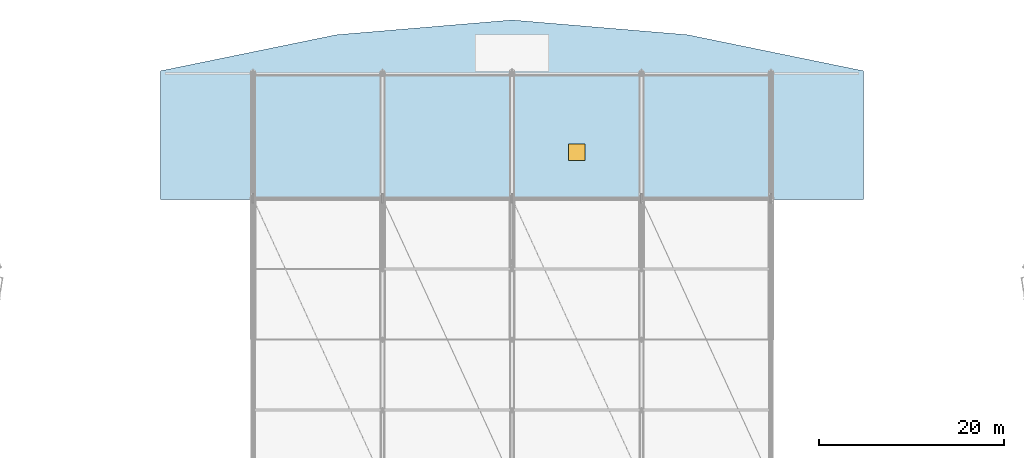
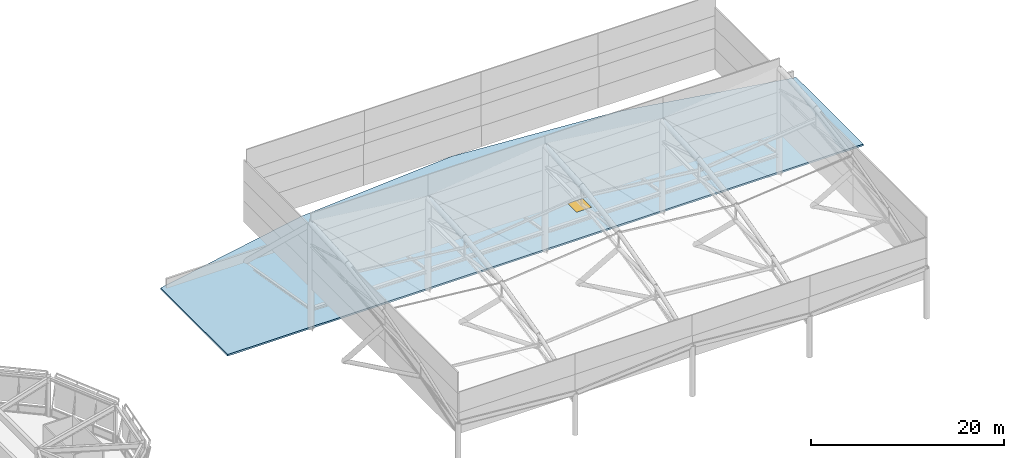
# One storey, part 76 of 113: 1 slab, 1 window, 1 opening.
"""IFC4 building model written with IfcOpenShell, lengths in metres."""

from ifc_helpers import new_model, si_unit, direction, frame, origin, origin_2d, place, context, subcontext, project, spatial, polyline, rectangle, outline, extrude, material, layer, layer_set, type_object, element, fill, save


model = new_model("IFC4")

# Units and contexts
model_context = context("Model", 3, precision=1e-05, world=origin(), true_north=direction((0.0, 1.0)))
body_context = subcontext(model_context, "Body", "Model", "MODEL_VIEW")
ifc_project = project(units=[si_unit("LENGTHUNIT", "METRE"), si_unit("AREAUNIT", "SQUARE_METRE"), si_unit("VOLUMEUNIT", "CUBIC_METRE"), si_unit("PLANEANGLEUNIT", "RADIAN"), si_unit("MASSUNIT", "GRAM", prefix="KILO")], contexts=[model_context])

# Site, building, storey
site_placement = place(None, origin())
site = spatial("IfcSite", under=ifc_project, at=site_placement, CompositionType="ELEMENT")
building_placement = place(site_placement, origin())
building = spatial("IfcBuilding", under=site, at=building_placement, Name="Linyun Crest Stadium", CompositionType="ELEMENT")
storey_placement = place(building_placement, frame((0.0, 0.0, 26.39990234375)))
storey = spatial("IfcBuildingStorey", under=building, at=storey_placement, Name="L06", CompositionType="ELEMENT", Elevation=26.39990234375)

# Slab, opening, window
ifc_material_1 = material(Name="Concrete C40", Category="concrete")
ifc_layer_1 = layer(ifc_material_1, 0.215087890625)
ifc_layer_set_1 = layer_set([ifc_layer_1], Name="Concrete C40")
slab_type = type_object("IfcSlabType", Name="RS02", PredefinedType="ROOF", material=ifc_layer_set_1)
slab_placement = place(storey_placement, frame((0.0, 0.0, -0.21484375)))
slab = element("IfcSlab", 1, at=slab_placement, inside=storey, type_object=slab_type, Name="Slab RS02 V3 L06 37", PredefinedType="ROOF", context=body_context, shape_type="SweptSolid", body=[
    extrude(outline(polyline([(-38.0, 91.39990234375), (38.0, 91.39990234375), (38.0, 105.300048828125), (19.0, 109.199951171875), (0.0, 110.800048828125), (-19.0, 109.199951171875), (-38.0, 105.300048828125), (-38.0, 91.39990234375)])), origin(), (0.0, 0.0, 1.0), 0.21484375),
])
opening_placement = place(slab_placement, frame((7.0, 96.5, 0.0)))
opening = element("IfcOpeningElement", 2, at=opening_placement, cuts=slab, Name="Opening RH03", PredefinedType="OPENING", context=body_context, shape_type="SweptSolid", body=[
    extrude(rectangle(XDim=1.800048828125, YDim=1.800048828125, at=origin_2d()), origin(), (0.0, 0.0, 1.0), 0.21484375),
])
ifc_material_2 = material(Name="Diffused laminated glass smoke-vent skylight", Category="glass")
ifc_layer_2 = layer(ifc_material_2, 0.070068359375)
ifc_layer_set_2 = layer_set([ifc_layer_2], Name="Diffused laminated glass smoke-vent skylight")
window_type = type_object("IfcWindowType", Name="RH03", PartitioningType="SINGLE_PANEL", PredefinedType="SKYLIGHT", material=ifc_layer_set_2)
window_placement = place(opening_placement, frame((0.0, 0.0, 0.144775390625)))
window = element("IfcWindow", 3, at=window_placement, inside=storey, type_object=window_type, Name="Roof access hatch RH03 L06 3", OverallHeight=1.800048828125, OverallWidth=1.800048828125, PartitioningType="SINGLE_PANEL", PredefinedType="SKYLIGHT", context=body_context, shape_type="SweptSolid", body=[
    extrude(rectangle(XDim=1.800048828125, YDim=1.800048828125, at=origin_2d()), origin(), (0.0, 0.0, 1.0), 0.070068359375),
])
fill(opening, window)

save(model, "model.ifc")
